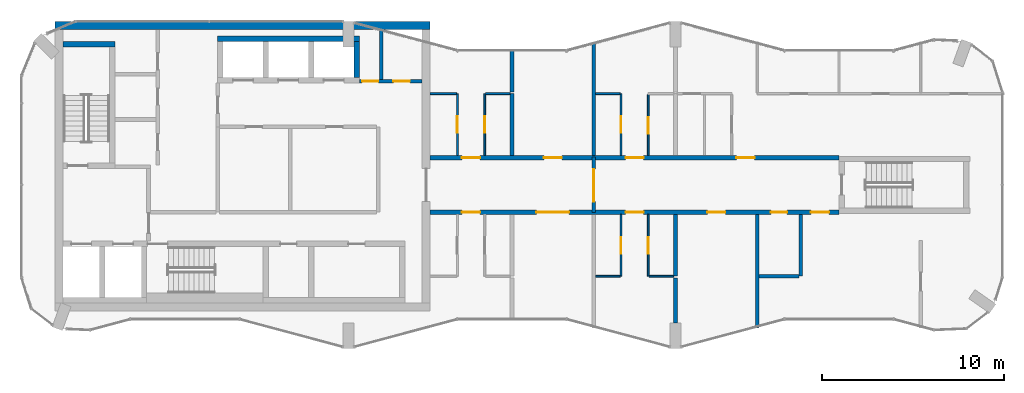
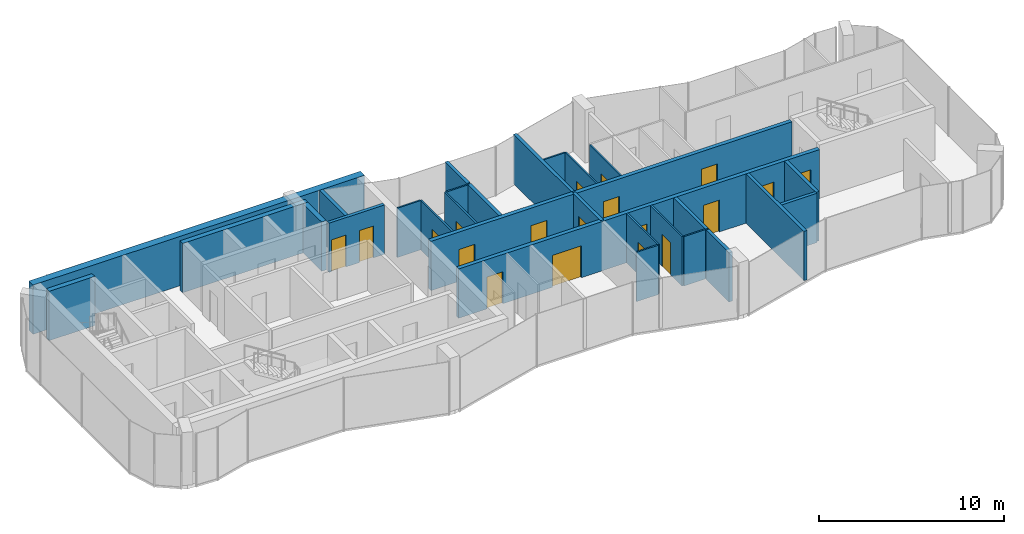
# One storey, part 8 of 10: 28 walls, 19 doors, 19 openings.
"""IFC4 building model written with IfcOpenShell, lengths in metres."""

from ifc_helpers import new_model, si_unit, direction, frame, frame_2d, origin, place, context, subcontext, project, spatial, rectangle, extrude, material, layer, layer_set, type_object, element, fill, save


model = new_model("IFC4")

# Units and contexts
model_context = context("Model", 3, precision=1e-05, world=origin(), true_north=direction((0.0, 1.0)))
body_context = subcontext(model_context, "Body", "Model", "MODEL_VIEW")
ifc_project = project(units=[si_unit("LENGTHUNIT", "METRE"), si_unit("AREAUNIT", "SQUARE_METRE"), si_unit("VOLUMEUNIT", "CUBIC_METRE"), si_unit("PLANEANGLEUNIT", "RADIAN"), si_unit("MASSUNIT", "GRAM", prefix="KILO")], contexts=[model_context])

# Site, building, storey
site_placement = place(None, origin())
site = spatial("IfcSite", under=ifc_project, at=site_placement, CompositionType="ELEMENT")
building_placement = place(site_placement, origin())
building = spatial("IfcBuilding", under=site, at=building_placement, Name="Plateau Cross Towers", CompositionType="ELEMENT")
storey_placement = place(building_placement, frame((0.0, 0.0, 259.89990234375)))
storey = spatial("IfcBuildingStorey", under=building, at=storey_placement, Name="L68", CompositionType="ELEMENT", Elevation=259.89990234375)

# Wall, openings, doors
ifc_material_1 = material(Name="Concrete block, plastered both sides", Category="concrete")
ifc_layer_1 = layer(ifc_material_1, 0.199951171875)
ifc_layer_set_1 = layer_set([ifc_layer_1], Name="Concrete block, plastered both sides")
wall_type_1 = type_object("IfcWallType", Name="Core partition 200", PredefinedType="PARTITIONING", material=ifc_layer_set_1)
wall_1_placement = place(storey_placement, frame((18.60009765625, 14.699951171875, 0.0), z_axis=(0.0, 0.0, 1.0), x_axis=(1.0, 0.0, 0.0)))
wall_1 = element("IfcWall", 1, at=wall_1_placement, inside=storey, type_object=wall_type_1, Name="Core partition", PredefinedType="PARTITIONING", context=body_context, shape_type="SweptSolid", body=[
    extrude(rectangle(XDim=3.449951171875, YDim=0.199951171875, at=frame_2d((1.72509765625, 0.0))), origin(), (0.0, 0.0, 1.0), 3.25),
])
opening_1_placement = place(wall_1_placement, frame((0.14990234375, 0.0, 0.0)))
opening_1 = element("IfcOpeningElement", 2, at=opening_1_placement, cuts=wall_1, Name="Opening RD2", PredefinedType="OPENING", context=body_context, shape_type="SweptSolid", body=[
    extrude(rectangle(XDim=0.89990234375, YDim=2.10009765625, at=frame_2d((0.449951171875, 1.050048828125))), frame((0.0, 0.10986328125, 0.0), z_axis=(0.0, -1.0, 0.0), x_axis=(1.0, 0.0, 0.0)), (0.0, 0.0, 1.0), 0.219970703125),
])
opening_2_placement = place(wall_1_placement, frame((1.875, 0.0, 0.0)))
opening_2 = element("IfcOpeningElement", 3, at=opening_2_placement, cuts=wall_1, Name="Opening RD2", PredefinedType="OPENING", context=body_context, shape_type="SweptSolid", body=[
    extrude(rectangle(XDim=0.89990234375, YDim=2.10009765625, at=frame_2d((0.449951171875, 1.050048828125))), frame((0.0, 0.10986328125, 0.0), z_axis=(0.0, -1.0, 0.0), x_axis=(1.0, 0.0, 0.0)), (0.0, 0.0, 1.0), 0.219970703125),
])
ifc_material_2 = material(Name="Steel, fire-resisting leaf", Category="steel")
door_type_1 = type_object("IfcDoorType", Name="Core riser door 900", OperationType="NOTDEFINED", PredefinedType="DOOR", material=ifc_material_2)
door_1_placement = place(opening_1_placement, origin())
door_1 = element("IfcDoor", 4, at=door_1_placement, inside=storey, type_object=door_type_1, Name="Core riser door RD2", OperationType="SINGLE_SWING_LEFT", OverallHeight=2.10009765625, OverallWidth=0.89990234375, PredefinedType="DOOR", context=body_context, shape_type="SweptSolid", body=[
    extrude(rectangle(XDim=0.89990234375, YDim=2.10009765625, at=frame_2d((0.449951171875, 1.050048828125))), frame((0.0, 0.02490234375, 0.0), z_axis=(0.0, -1.0, 0.0), x_axis=(1.0, 0.0, 0.0)), (0.0, 0.0, 1.0), 0.050048828125),
])
fill(opening_1, door_1)
door_2_placement = place(opening_2_placement, origin())
door_2 = element("IfcDoor", 5, at=door_2_placement, inside=storey, type_object=door_type_1, Name="Core riser door RD2", OperationType="SINGLE_SWING_LEFT", OverallHeight=2.10009765625, OverallWidth=0.89990234375, PredefinedType="DOOR", context=body_context, shape_type="SweptSolid", body=[
    extrude(rectangle(XDim=0.89990234375, YDim=2.10009765625, at=frame_2d((0.449951171875, 1.050048828125))), frame((0.0, 0.02490234375, 0.0), z_axis=(0.0, -1.0, 0.0), x_axis=(1.0, 0.0, 0.0)), (0.0, 0.0, 1.0), 0.050048828125),
])
fill(opening_2, door_2)

# Walls
wall_2_placement = place(storey_placement, frame((19.800048828125, 14.800048828125, 0.0), z_axis=(0.0, 0.0, 1.0), x_axis=(0.0, 1.0, 0.0)))
element("IfcWall", 6, at=wall_2_placement, inside=storey, type_object=wall_type_1, Name="Core partition", PredefinedType="PARTITIONING", context=body_context, shape_type="SweptSolid", body=[
    extrude(rectangle(XDim=2.75, YDim=0.199951171875, at=frame_2d((1.375, 0.0))), origin(), (0.0, 0.0, 1.0), 3.25),
])
ifc_material_3 = material(Name="Concrete C60/75", Category="concrete")
ifc_layer_2 = layer(ifc_material_3, 0.300048828125)
ifc_layer_set_2 = layer_set([ifc_layer_2], Name="Concrete C60/75")
wall_type_2 = type_object("IfcWallType", Name="Core shaft wall 300", PredefinedType="SHEAR", material=ifc_layer_set_2)
wall_3_placement = place(storey_placement, frame((2.300048828125, 16.75, 0.0), z_axis=(0.0, 0.0, 1.0), x_axis=(1.0, 0.0, 0.0)))
element("IfcWall", 7, at=wall_3_placement, inside=storey, type_object=wall_type_2, Name="A-st1-N@L68", PredefinedType="SHEAR", context=body_context, shape_type="SweptSolid", body=[
    extrude(rectangle(XDim=2.849853515625, YDim=0.300048828125, at=frame_2d((1.4248046875, 0.0))), origin(), (0.0, 0.0, 1.0), 3.25),
])
wall_4_placement = place(storey_placement, frame((10.800048828125, 17.050048828125, 0.0), z_axis=(0.0, 0.0, 1.0), x_axis=(1.0, 0.0, 0.0)))
element("IfcWall", 8, at=wall_4_placement, inside=storey, type_object=wall_type_2, Name="A-nb-back@L68", PredefinedType="SHEAR", context=body_context, shape_type="SweptSolid", body=[
    extrude(rectangle(XDim=7.800048828125, YDim=0.300048828125, at=frame_2d((3.89990234375, 0.0))), origin(), (0.0, 0.0, 1.0), 3.25),
])
wall_5_placement = place(storey_placement, frame((18.449951171875, 14.89990234375, 0.0), z_axis=(0.0, 0.0, 1.0), x_axis=(0.0, 1.0, 0.0)))
element("IfcWall", 9, at=wall_5_placement, inside=storey, type_object=wall_type_2, Name="A-nb-v4@L68", PredefinedType="SHEAR", context=body_context, shape_type="SweptSolid", body=[
    extrude(rectangle(XDim=2.0, YDim=0.300048828125, at=frame_2d((1.0, 0.0))), origin(), (0.0, 0.0, 1.0), 3.25),
])
ifc_layer_3 = layer(ifc_material_3, 0.449951171875)
ifc_layer_set_3 = layer_set([ifc_layer_3], Name="Concrete C60/75")
wall_type_3 = type_object("IfcWallType", Name="Core shell wall 450", PredefinedType="SHEAR", material=ifc_layer_set_3)
wall_6_placement = place(storey_placement, frame((1.85009765625, 17.77490234375, 0.0), z_axis=(0.0, 0.0, 1.0), x_axis=(1.0, 0.0, 0.0)))
element("IfcWall", 10, at=wall_6_placement, inside=storey, type_object=wall_type_3, Name="A-core-N@L68", PredefinedType="SHEAR", context=body_context, shape_type="SweptSolid", body=[
    extrude(rectangle(XDim=20.64990234375, YDim=0.449951171875, at=frame_2d((10.324951171875, 0.0))), origin(), (0.0, 0.0, 1.0), 3.25),
])

# Wall, openings, doors
ifc_layer_4 = layer(ifc_material_3, 0.25)
ifc_layer_set_4 = layer_set([ifc_layer_4], Name="Concrete C60/75")
wall_type_4 = type_object("IfcWallType", Name="Corridor wall 250", PredefinedType="SHEAR", material=ifc_layer_set_4)
wall_7_placement = place(storey_placement, frame((22.5, 7.5, 0.0), z_axis=(0.0, 0.0, 1.0), x_axis=(1.0, 0.0, 0.0)))
wall_7 = element("IfcWall", 11, at=wall_7_placement, inside=storey, type_object=wall_type_4, Name="A-cw-S1@L68", PredefinedType="SHEAR", context=body_context, shape_type="SweptSolid", body=[
    extrude(rectangle(XDim=22.5, YDim=0.25, at=frame_2d((11.25, 0.0))), origin(), (0.0, 0.0, 1.0), 3.25),
])
opening_3_placement = place(wall_7_placement, frame((1.75, 0.0, 0.0)))
opening_3 = element("IfcOpeningElement", 12, at=opening_3_placement, cuts=wall_7, Name="Opening 68-01", PredefinedType="OPENING", context=body_context, shape_type="SweptSolid", body=[
    extrude(rectangle(XDim=1.0, YDim=2.10009765625, at=frame_2d((0.5, 1.050048828125))), frame((0.0, 0.135009765625, 0.0), z_axis=(0.0, -1.0, 0.0), x_axis=(1.0, 0.0, 0.0)), (0.0, 0.0, 1.0), 0.27001953125),
])
opening_4_placement = place(wall_7_placement, frame((5.85009765625, 0.0, 0.0)))
opening_4 = element("IfcOpeningElement", 13, at=opening_4_placement, cuts=wall_7, Name="Opening 68-02", PredefinedType="OPENING", context=body_context, shape_type="SweptSolid", body=[
    extrude(rectangle(XDim=1.800048828125, YDim=2.10009765625, at=frame_2d((0.89990234375, 1.050048828125))), frame((0.0, 0.135009765625, 0.0), z_axis=(0.0, -1.0, 0.0), x_axis=(1.0, 0.0, 0.0)), (0.0, 0.0, 1.0), 0.27001953125),
])
opening_5_placement = place(wall_7_placement, frame((10.75, 0.0, 0.0)))
opening_5 = element("IfcOpeningElement", 14, at=opening_5_placement, cuts=wall_7, Name="Opening 68-03", PredefinedType="OPENING", context=body_context, shape_type="SweptSolid", body=[
    extrude(rectangle(XDim=1.0, YDim=2.10009765625, at=frame_2d((0.5, 1.050048828125))), frame((0.0, 0.135009765625, 0.0), z_axis=(0.0, -1.0, 0.0), x_axis=(1.0, 0.0, 0.0)), (0.0, 0.0, 1.0), 0.27001953125),
])
opening_6_placement = place(wall_7_placement, frame((15.25, 0.0, 0.0)))
opening_6 = element("IfcOpeningElement", 15, at=opening_6_placement, cuts=wall_7, Name="Opening 68-04", PredefinedType="OPENING", context=body_context, shape_type="SweptSolid", body=[
    extrude(rectangle(XDim=1.0, YDim=2.10009765625, at=frame_2d((0.5, 1.050048828125))), frame((0.0, 0.135009765625, 0.0), z_axis=(0.0, -1.0, 0.0), x_axis=(1.0, 0.0, 0.0)), (0.0, 0.0, 1.0), 0.27001953125),
])
opening_7_placement = place(wall_7_placement, frame((18.75, 0.0, 0.0)))
opening_7 = element("IfcOpeningElement", 16, at=opening_7_placement, cuts=wall_7, Name="Opening 68-05", PredefinedType="OPENING", context=body_context, shape_type="SweptSolid", body=[
    extrude(rectangle(XDim=0.89990234375, YDim=2.10009765625, at=frame_2d((0.449951171875, 1.050048828125))), frame((0.0, 0.135009765625, 0.0), z_axis=(0.0, -1.0, 0.0), x_axis=(1.0, 0.0, 0.0)), (0.0, 0.0, 1.0), 0.27001953125),
])
opening_8_placement = place(wall_7_placement, frame((20.949951171875, 0.0, 0.0)))
opening_8 = element("IfcOpeningElement", 17, at=opening_8_placement, cuts=wall_7, Name="Opening 68-06", PredefinedType="OPENING", context=body_context, shape_type="SweptSolid", body=[
    extrude(rectangle(XDim=1.0, YDim=2.10009765625, at=frame_2d((0.5, 1.050048828125))), frame((0.0, 0.135009765625, 0.0), z_axis=(0.0, -1.0, 0.0), x_axis=(1.0, 0.0, 0.0)), (0.0, 0.0, 1.0), 0.27001953125),
])
ifc_material_4 = material(Name="Timber, fire-resisting leaf", Category="wood")
door_type_2 = type_object("IfcDoorType", Name="Flat entrance door 1000", OperationType="NOTDEFINED", PredefinedType="DOOR", material=ifc_material_4)
door_3_placement = place(opening_3_placement, origin())
door_3 = element("IfcDoor", 18, at=door_3_placement, inside=storey, type_object=door_type_2, Name="Door 68-01", OperationType="SINGLE_SWING_LEFT", OverallHeight=2.10009765625, OverallWidth=1.0, PredefinedType="DOOR", context=body_context, shape_type="SweptSolid", body=[
    extrude(rectangle(XDim=1.0, YDim=2.10009765625, at=frame_2d((0.5, 1.050048828125))), frame((0.0, 0.02490234375, 0.0), z_axis=(0.0, -1.0, 0.0), x_axis=(1.0, 0.0, 0.0)), (0.0, 0.0, 1.0), 0.050048828125),
])
fill(opening_3, door_3)
door_4_placement = place(opening_5_placement, origin())
door_4 = element("IfcDoor", 19, at=door_4_placement, inside=storey, type_object=door_type_2, Name="Door 68-03", OperationType="SINGLE_SWING_LEFT", OverallHeight=2.10009765625, OverallWidth=1.0, PredefinedType="DOOR", context=body_context, shape_type="SweptSolid", body=[
    extrude(rectangle(XDim=1.0, YDim=2.10009765625, at=frame_2d((0.5, 1.050048828125))), frame((0.0, 0.02490234375, 0.0), z_axis=(0.0, -1.0, 0.0), x_axis=(1.0, 0.0, 0.0)), (0.0, 0.0, 1.0), 0.050048828125),
])
fill(opening_5, door_4)
door_5_placement = place(opening_6_placement, origin())
door_5 = element("IfcDoor", 20, at=door_5_placement, inside=storey, type_object=door_type_2, Name="Door 68-04", OperationType="SINGLE_SWING_RIGHT", OverallHeight=2.10009765625, OverallWidth=1.0, PredefinedType="DOOR", context=body_context, shape_type="SweptSolid", body=[
    extrude(rectangle(XDim=1.0, YDim=2.10009765625, at=frame_2d((0.5, 1.050048828125))), frame((0.0, 0.02490234375, 0.0), z_axis=(0.0, -1.0, 0.0), x_axis=(1.0, 0.0, 0.0)), (0.0, 0.0, 1.0), 0.050048828125),
])
fill(opening_6, door_5)
door_6_placement = place(opening_8_placement, origin())
door_6 = element("IfcDoor", 21, at=door_6_placement, inside=storey, type_object=door_type_2, Name="Door 68-06", OperationType="SINGLE_SWING_RIGHT", OverallHeight=2.10009765625, OverallWidth=1.0, PredefinedType="DOOR", context=body_context, shape_type="SweptSolid", body=[
    extrude(rectangle(XDim=1.0, YDim=2.10009765625, at=frame_2d((0.5, 1.050048828125))), frame((0.0, 0.02490234375, 0.0), z_axis=(0.0, -1.0, 0.0), x_axis=(1.0, 0.0, 0.0)), (0.0, 0.0, 1.0), 0.050048828125),
])
fill(opening_8, door_6)
ifc_material_5 = material(Name="Timber, fire-resisting leaves", Category="wood")
door_type_3 = type_object("IfcDoorType", Name="Flat floor fire door pair 1800", OperationType="NOTDEFINED", PredefinedType="DOOR", material=ifc_material_5)
door_7_placement = place(opening_4_placement, origin())
door_7 = element("IfcDoor", 22, at=door_7_placement, inside=storey, type_object=door_type_3, Name="Door 68-02", OperationType="SINGLE_SWING_LEFT", OverallHeight=2.10009765625, OverallWidth=1.800048828125, PredefinedType="DOOR", context=body_context, shape_type="SweptSolid", body=[
    extrude(rectangle(XDim=1.800048828125, YDim=2.10009765625, at=frame_2d((0.89990234375, 1.050048828125))), frame((0.0, 0.02490234375, 0.0), z_axis=(0.0, -1.0, 0.0), x_axis=(1.0, 0.0, 0.0)), (0.0, 0.0, 1.0), 0.050048828125),
])
fill(opening_4, door_7)
door_type_4 = type_object("IfcDoorType", Name="Flat floor service door 900", OperationType="NOTDEFINED", PredefinedType="DOOR", material=ifc_material_4)
door_8_placement = place(opening_7_placement, origin())
door_8 = element("IfcDoor", 23, at=door_8_placement, inside=storey, type_object=door_type_4, Name="Door 68-05", OperationType="SINGLE_SWING_RIGHT", OverallHeight=2.10009765625, OverallWidth=0.89990234375, PredefinedType="DOOR", context=body_context, shape_type="SweptSolid", body=[
    extrude(rectangle(XDim=0.89990234375, YDim=2.10009765625, at=frame_2d((0.449951171875, 1.050048828125))), frame((0.0, 0.02490234375, 0.0), z_axis=(0.0, -1.0, 0.0), x_axis=(1.0, 0.0, 0.0)), (0.0, 0.0, 1.0), 0.050048828125),
])
fill(opening_7, door_8)

wall_8_placement = place(storey_placement, frame((22.5, 10.5, 0.0), z_axis=(0.0, 0.0, 1.0), x_axis=(1.0, 0.0, 0.0)))
wall_8 = element("IfcWall", 24, at=wall_8_placement, inside=storey, type_object=wall_type_4, Name="A-cw-S2@L68", PredefinedType="SHEAR", context=body_context, shape_type="SweptSolid", body=[
    extrude(rectangle(XDim=22.5, YDim=0.25, at=frame_2d((11.25, 0.0))), origin(), (0.0, 0.0, 1.0), 3.25),
])
opening_9_placement = place(wall_8_placement, frame((1.75, 0.0, 0.0)))
opening_9 = element("IfcOpeningElement", 25, at=opening_9_placement, cuts=wall_8, Name="Opening 68-07", PredefinedType="OPENING", context=body_context, shape_type="SweptSolid", body=[
    extrude(rectangle(XDim=1.0, YDim=2.10009765625, at=frame_2d((0.5, 1.050048828125))), frame((0.0, 0.135009765625, 0.0), z_axis=(0.0, -1.0, 0.0), x_axis=(1.0, 0.0, 0.0)), (0.0, 0.0, 1.0), 0.27001953125),
])
opening_10_placement = place(wall_8_placement, frame((6.25, 0.0, 0.0)))
opening_10 = element("IfcOpeningElement", 26, at=opening_10_placement, cuts=wall_8, Name="Opening 68-08", PredefinedType="OPENING", context=body_context, shape_type="SweptSolid", body=[
    extrude(rectangle(XDim=1.0, YDim=2.10009765625, at=frame_2d((0.5, 1.050048828125))), frame((0.0, 0.135009765625, 0.0), z_axis=(0.0, -1.0, 0.0), x_axis=(1.0, 0.0, 0.0)), (0.0, 0.0, 1.0), 0.27001953125),
])
opening_11_placement = place(wall_8_placement, frame((10.75, 0.0, 0.0)))
opening_11 = element("IfcOpeningElement", 27, at=opening_11_placement, cuts=wall_8, Name="Opening 68-09", PredefinedType="OPENING", context=body_context, shape_type="SweptSolid", body=[
    extrude(rectangle(XDim=1.0, YDim=2.10009765625, at=frame_2d((0.5, 1.050048828125))), frame((0.0, 0.135009765625, 0.0), z_axis=(0.0, -1.0, 0.0), x_axis=(1.0, 0.0, 0.0)), (0.0, 0.0, 1.0), 0.27001953125),
])
opening_12_placement = place(wall_8_placement, frame((16.85009765625, 0.0, 0.0)))
opening_12 = element("IfcOpeningElement", 28, at=opening_12_placement, cuts=wall_8, Name="Opening 68-10", PredefinedType="OPENING", context=body_context, shape_type="SweptSolid", body=[
    extrude(rectangle(XDim=1.0, YDim=2.10009765625, at=frame_2d((0.5, 1.050048828125))), frame((0.0, 0.135009765625, 0.0), z_axis=(0.0, -1.0, 0.0), x_axis=(1.0, 0.0, 0.0)), (0.0, 0.0, 1.0), 0.27001953125),
])
door_9_placement = place(opening_9_placement, origin())
door_9 = element("IfcDoor", 29, at=door_9_placement, inside=storey, type_object=door_type_2, Name="Door 68-07", OperationType="SINGLE_SWING_LEFT", OverallHeight=2.10009765625, OverallWidth=1.0, PredefinedType="DOOR", context=body_context, shape_type="SweptSolid", body=[
    extrude(rectangle(XDim=1.0, YDim=2.10009765625, at=frame_2d((0.5, 1.050048828125))), frame((0.0, 0.02490234375, 0.0), z_axis=(0.0, -1.0, 0.0), x_axis=(1.0, 0.0, 0.0)), (0.0, 0.0, 1.0), 0.050048828125),
])
fill(opening_9, door_9)
door_10_placement = place(opening_10_placement, origin())
door_10 = element("IfcDoor", 30, at=door_10_placement, inside=storey, type_object=door_type_2, Name="Door 68-08", OperationType="SINGLE_SWING_LEFT", OverallHeight=2.10009765625, OverallWidth=1.0, PredefinedType="DOOR", context=body_context, shape_type="SweptSolid", body=[
    extrude(rectangle(XDim=1.0, YDim=2.10009765625, at=frame_2d((0.5, 1.050048828125))), frame((0.0, 0.02490234375, 0.0), z_axis=(0.0, -1.0, 0.0), x_axis=(1.0, 0.0, 0.0)), (0.0, 0.0, 1.0), 0.050048828125),
])
fill(opening_10, door_10)
door_11_placement = place(opening_11_placement, origin())
door_11 = element("IfcDoor", 31, at=door_11_placement, inside=storey, type_object=door_type_2, Name="Door 68-09", OperationType="SINGLE_SWING_LEFT", OverallHeight=2.10009765625, OverallWidth=1.0, PredefinedType="DOOR", context=body_context, shape_type="SweptSolid", body=[
    extrude(rectangle(XDim=1.0, YDim=2.10009765625, at=frame_2d((0.5, 1.050048828125))), frame((0.0, 0.02490234375, 0.0), z_axis=(0.0, -1.0, 0.0), x_axis=(1.0, 0.0, 0.0)), (0.0, 0.0, 1.0), 0.050048828125),
])
fill(opening_11, door_11)
door_12_placement = place(opening_12_placement, origin())
door_12 = element("IfcDoor", 32, at=door_12_placement, inside=storey, type_object=door_type_2, Name="Door 68-10", OperationType="SINGLE_SWING_RIGHT", OverallHeight=2.10009765625, OverallWidth=1.0, PredefinedType="DOOR", context=body_context, shape_type="SweptSolid", body=[
    extrude(rectangle(XDim=1.0, YDim=2.10009765625, at=frame_2d((0.5, 1.050048828125))), frame((0.0, 0.02490234375, 0.0), z_axis=(0.0, -1.0, 0.0), x_axis=(1.0, 0.0, 0.0)), (0.0, 0.0, 1.0), 0.050048828125),
])
fill(opening_12, door_12)

# Walls
ifc_material_6 = material(Name="Gypsum board on steel studs", Category="steel")
ifc_layer_5 = layer(ifc_material_6, 0.10009765625)
ifc_layer_set_5 = layer_set([ifc_layer_5], Name="Gypsum board on steel studs")
wall_type_5 = type_object("IfcWallType", Name="Flat partition 100", PredefinedType="PARTITIONING", material=ifc_layer_set_5)
for number, where, z_axis, x_axis, name in (
    (33, (31.60009765625, 3.97509765625, 0.0), (0.0, 0.0, 1.0), (1.0, 0.0, 0.0), "Partition wall"),
    (34, (34.550048828125, 3.97509765625, 0.0), (0.0, 0.0, 1.0), (1.0, 0.0, 0.0), "Partition wall"),
):
    element("IfcWall", number, at=place(storey_placement, frame(where, z_axis=z_axis, x_axis=x_axis)), inside=storey, type_object=wall_type_5, Name=name, PredefinedType="PARTITIONING", context=body_context, shape_type="SweptSolid", body=[
        extrude(rectangle(XDim=1.349853515625, YDim=0.10009765625, at=frame_2d((0.6748046875, 0.0))), origin(), (0.0, 0.0, 1.0), 3.25),
    ])
wall_9_placement = place(storey_placement, frame((23.949951171875, 14.02490234375, 0.0), z_axis=(0.0, 0.0, 1.0), x_axis=(-1.0, 0.0, 0.0)))
element("IfcWall", 35, at=wall_9_placement, inside=storey, type_object=wall_type_5, Name="Partition wall", PredefinedType="PARTITIONING", context=body_context, shape_type="SweptSolid", body=[
    extrude(rectangle(XDim=1.449951171875, YDim=0.10009765625, at=frame_2d((0.72509765625, 0.0))), origin(), (0.0, 0.0, 1.0), 3.25),
])
for number, where, z_axis, x_axis, name in (
    (36, (26.89990234375, 14.02490234375, 0.0), (0.0, 0.0, 1.0), (-1.0, 0.0, 0.0), "Partition wall"),
    (37, (32.949951171875, 14.02490234375, 0.0), (0.0, 0.0, 1.0), (-1.0, 0.0, 0.0), "Partition wall"),
):
    element("IfcWall", number, at=place(storey_placement, frame(where, z_axis=z_axis, x_axis=x_axis)), inside=storey, type_object=wall_type_5, Name=name, PredefinedType="PARTITIONING", context=body_context, shape_type="SweptSolid", body=[
        extrude(rectangle(XDim=1.349853515625, YDim=0.10009765625, at=frame_2d((0.6748046875, 0.0))), origin(), (0.0, 0.0, 1.0), 3.25),
    ])

# Wall, opening, door
wall_10_placement = place(storey_placement, frame((24.0, 10.625, 0.0), z_axis=(0.0, 0.0, 1.0), x_axis=(0.0, 1.0, 0.0)))
wall_10 = element("IfcWall", 38, at=wall_10_placement, inside=storey, type_object=wall_type_5, Name="Partition wall", PredefinedType="PARTITIONING", context=body_context, shape_type="SweptSolid", body=[
    extrude(rectangle(XDim=3.39990234375, YDim=0.10009765625, at=frame_2d((1.699951171875, 0.0))), origin(), (0.0, 0.0, 1.0), 3.25),
])
opening_13_placement = place(wall_10_placement, frame((1.25, 0.0, 0.0)))
opening_13 = element("IfcOpeningElement", 39, at=opening_13_placement, cuts=wall_10, Name="Opening 68-17", PredefinedType="OPENING", context=body_context, shape_type="SweptSolid", body=[
    extrude(rectangle(XDim=0.89990234375, YDim=2.10009765625, at=frame_2d((0.449951171875, 1.050048828125))), frame((0.0, 0.06005859375, 0.0), z_axis=(0.0, -1.0, 0.0), x_axis=(1.0, 0.0, 0.0)), (0.0, 0.0, 1.0), 0.1201171875),
])
ifc_material_7 = material(Name="Timber leaf", Category="wood")
door_type_5 = type_object("IfcDoorType", Name="Flat room door 900", OperationType="NOTDEFINED", PredefinedType="DOOR", material=ifc_material_7)
door_13_placement = place(opening_13_placement, origin())
door_13 = element("IfcDoor", 40, at=door_13_placement, inside=storey, type_object=door_type_5, Name="Door 68-17", OperationType="SINGLE_SWING_LEFT", OverallHeight=2.10009765625, OverallWidth=0.89990234375, PredefinedType="DOOR", context=body_context, shape_type="SweptSolid", body=[
    extrude(rectangle(XDim=0.89990234375, YDim=2.10009765625, at=frame_2d((0.449951171875, 1.050048828125))), frame((0.0, 0.02490234375, 0.0), z_axis=(0.0, -1.0, 0.0), x_axis=(1.0, 0.0, 0.0)), (0.0, 0.0, 1.0), 0.050048828125),
])
fill(opening_13, door_13)

wall_11_placement = place(storey_placement, frame((25.5, 14.02490234375, 0.0), z_axis=(0.0, 0.0, 1.0), x_axis=(0.0, -1.0, 0.0)))
wall_11 = element("IfcWall", 41, at=wall_11_placement, inside=storey, type_object=wall_type_5, Name="Partition wall", PredefinedType="PARTITIONING", context=body_context, shape_type="SweptSolid", body=[
    extrude(rectangle(XDim=3.39990234375, YDim=0.10009765625, at=frame_2d((1.699951171875, 0.0))), origin(), (0.0, 0.0, 1.0), 3.25),
])
opening_14_placement = place(wall_11_placement, frame((1.25, 0.0, 0.0)))
opening_14 = element("IfcOpeningElement", 42, at=opening_14_placement, cuts=wall_11, Name="Opening 68-18", PredefinedType="OPENING", context=body_context, shape_type="SweptSolid", body=[
    extrude(rectangle(XDim=0.89990234375, YDim=2.10009765625, at=frame_2d((0.449951171875, 1.050048828125))), frame((0.0, 0.06005859375, 0.0), z_axis=(0.0, -1.0, 0.0), x_axis=(1.0, 0.0, 0.0)), (0.0, 0.0, 1.0), 0.1201171875),
])
door_14_placement = place(opening_14_placement, origin())
door_14 = element("IfcDoor", 43, at=door_14_placement, inside=storey, type_object=door_type_5, Name="Door 68-18", OperationType="SINGLE_SWING_LEFT", OverallHeight=2.10009765625, OverallWidth=0.89990234375, PredefinedType="DOOR", context=body_context, shape_type="SweptSolid", body=[
    extrude(rectangle(XDim=0.89990234375, YDim=2.10009765625, at=frame_2d((0.449951171875, 1.050048828125))), frame((0.0, 0.02490234375, 0.0), z_axis=(0.0, -1.0, 0.0), x_axis=(1.0, 0.0, 0.0)), (0.0, 0.0, 1.0), 0.050048828125),
])
fill(opening_14, door_14)

wall_12_placement = place(storey_placement, frame((33.0, 3.97509765625, 0.0), z_axis=(0.0, 0.0, 1.0), x_axis=(0.0, 1.0, 0.0)))
wall_12 = element("IfcWall", 44, at=wall_12_placement, inside=storey, type_object=wall_type_5, Name="Partition wall", PredefinedType="PARTITIONING", context=body_context, shape_type="SweptSolid", body=[
    extrude(rectangle(XDim=3.39990234375, YDim=0.10009765625, at=frame_2d((1.699951171875, 0.0))), origin(), (0.0, 0.0, 1.0), 3.25),
])
opening_15_placement = place(wall_12_placement, frame((1.25, 0.0, 0.0)))
opening_15 = element("IfcOpeningElement", 45, at=opening_15_placement, cuts=wall_12, Name="Opening 68-15", PredefinedType="OPENING", context=body_context, shape_type="SweptSolid", body=[
    extrude(rectangle(XDim=0.89990234375, YDim=2.10009765625, at=frame_2d((0.449951171875, 1.050048828125))), frame((0.0, 0.06005859375, 0.0), z_axis=(0.0, -1.0, 0.0), x_axis=(1.0, 0.0, 0.0)), (0.0, 0.0, 1.0), 0.1201171875),
])
door_15_placement = place(opening_15_placement, origin())
door_15 = element("IfcDoor", 46, at=door_15_placement, inside=storey, type_object=door_type_5, Name="Door 68-15", OperationType="SINGLE_SWING_LEFT", OverallHeight=2.10009765625, OverallWidth=0.89990234375, PredefinedType="DOOR", context=body_context, shape_type="SweptSolid", body=[
    extrude(rectangle(XDim=0.89990234375, YDim=2.10009765625, at=frame_2d((0.449951171875, 1.050048828125))), frame((0.0, 0.02490234375, 0.0), z_axis=(0.0, -1.0, 0.0), x_axis=(1.0, 0.0, 0.0)), (0.0, 0.0, 1.0), 0.050048828125),
])
fill(opening_15, door_15)

wall_13_placement = place(storey_placement, frame((33.0, 10.625, 0.0), z_axis=(0.0, 0.0, 1.0), x_axis=(0.0, 1.0, 0.0)))
wall_13 = element("IfcWall", 47, at=wall_13_placement, inside=storey, type_object=wall_type_5, Name="Partition wall", PredefinedType="PARTITIONING", context=body_context, shape_type="SweptSolid", body=[
    extrude(rectangle(XDim=3.39990234375, YDim=0.10009765625, at=frame_2d((1.699951171875, 0.0))), origin(), (0.0, 0.0, 1.0), 3.25),
])
opening_16_placement = place(wall_13_placement, frame((1.25, 0.0, 0.0)))
opening_16 = element("IfcOpeningElement", 48, at=opening_16_placement, cuts=wall_13, Name="Opening 68-19", PredefinedType="OPENING", context=body_context, shape_type="SweptSolid", body=[
    extrude(rectangle(XDim=0.89990234375, YDim=2.10009765625, at=frame_2d((0.449951171875, 1.050048828125))), frame((0.0, 0.06005859375, 0.0), z_axis=(0.0, -1.0, 0.0), x_axis=(1.0, 0.0, 0.0)), (0.0, 0.0, 1.0), 0.1201171875),
])
door_16_placement = place(opening_16_placement, origin())
door_16 = element("IfcDoor", 49, at=door_16_placement, inside=storey, type_object=door_type_5, Name="Door 68-19", OperationType="SINGLE_SWING_LEFT", OverallHeight=2.10009765625, OverallWidth=0.89990234375, PredefinedType="DOOR", context=body_context, shape_type="SweptSolid", body=[
    extrude(rectangle(XDim=0.89990234375, YDim=2.10009765625, at=frame_2d((0.449951171875, 1.050048828125))), frame((0.0, 0.02490234375, 0.0), z_axis=(0.0, -1.0, 0.0), x_axis=(1.0, 0.0, 0.0)), (0.0, 0.0, 1.0), 0.050048828125),
])
fill(opening_16, door_16)

wall_14_placement = place(storey_placement, frame((34.5, 7.375, 0.0), z_axis=(0.0, 0.0, 1.0), x_axis=(0.0, -1.0, 0.0)))
wall_14 = element("IfcWall", 50, at=wall_14_placement, inside=storey, type_object=wall_type_5, Name="Partition wall", PredefinedType="PARTITIONING", context=body_context, shape_type="SweptSolid", body=[
    extrude(rectangle(XDim=3.39990234375, YDim=0.10009765625, at=frame_2d((1.699951171875, 0.0))), origin(), (0.0, 0.0, 1.0), 3.25),
])
opening_17_placement = place(wall_14_placement, frame((1.25, 0.0, 0.0)))
opening_17 = element("IfcOpeningElement", 51, at=opening_17_placement, cuts=wall_14, Name="Opening 68-16", PredefinedType="OPENING", context=body_context, shape_type="SweptSolid", body=[
    extrude(rectangle(XDim=0.89990234375, YDim=2.10009765625, at=frame_2d((0.449951171875, 1.050048828125))), frame((0.0, 0.06005859375, 0.0), z_axis=(0.0, -1.0, 0.0), x_axis=(1.0, 0.0, 0.0)), (0.0, 0.0, 1.0), 0.1201171875),
])
door_17_placement = place(opening_17_placement, origin())
door_17 = element("IfcDoor", 52, at=door_17_placement, inside=storey, type_object=door_type_5, Name="Door 68-16", OperationType="SINGLE_SWING_LEFT", OverallHeight=2.10009765625, OverallWidth=0.89990234375, PredefinedType="DOOR", context=body_context, shape_type="SweptSolid", body=[
    extrude(rectangle(XDim=0.89990234375, YDim=2.10009765625, at=frame_2d((0.449951171875, 1.050048828125))), frame((0.0, 0.02490234375, 0.0), z_axis=(0.0, -1.0, 0.0), x_axis=(1.0, 0.0, 0.0)), (0.0, 0.0, 1.0), 0.050048828125),
])
fill(opening_17, door_17)

wall_15_placement = place(storey_placement, frame((34.5, 13.97509765625, 0.0), z_axis=(0.0, 0.0, 1.0), x_axis=(0.0, -1.0, 0.0)))
wall_15 = element("IfcWall", 53, at=wall_15_placement, inside=storey, type_object=wall_type_5, Name="Partition wall", PredefinedType="PARTITIONING", context=body_context, shape_type="SweptSolid", body=[
    extrude(rectangle(XDim=3.35009765625, YDim=0.10009765625, at=frame_2d((1.675048828125, 0.0))), origin(), (0.0, 0.0, 1.0), 3.25),
])
opening_18_placement = place(wall_15_placement, frame((1.25, 0.0, 0.0)))
opening_18 = element("IfcOpeningElement", 54, at=opening_18_placement, cuts=wall_15, Name="Opening 68-20", PredefinedType="OPENING", context=body_context, shape_type="SweptSolid", body=[
    extrude(rectangle(XDim=0.89990234375, YDim=2.10009765625, at=frame_2d((0.449951171875, 1.050048828125))), frame((0.0, 0.06005859375, 0.0), z_axis=(0.0, -1.0, 0.0), x_axis=(1.0, 0.0, 0.0)), (0.0, 0.0, 1.0), 0.1201171875),
])
door_18_placement = place(opening_18_placement, origin())
door_18 = element("IfcDoor", 55, at=door_18_placement, inside=storey, type_object=door_type_5, Name="Door 68-20", OperationType="SINGLE_SWING_RIGHT", OverallHeight=2.10009765625, OverallWidth=0.89990234375, PredefinedType="DOOR", context=body_context, shape_type="SweptSolid", body=[
    extrude(rectangle(XDim=0.89990234375, YDim=2.10009765625, at=frame_2d((0.449951171875, 1.050048828125))), frame((0.0, 0.02490234375, 0.0), z_axis=(0.0, -1.0, 0.0), x_axis=(1.0, 0.0, 0.0)), (0.0, 0.0, 1.0), 0.050048828125),
])
fill(opening_18, door_18)

# Walls
ifc_material_8 = material(Name="Gypsum board on steel studs, two layers each side", Category="steel")
ifc_layer_6 = layer(ifc_material_8, 0.199951171875)
ifc_layer_set_6 = layer_set([ifc_layer_6], Name="Gypsum board on steel studs, two layers each side")
wall_type_6 = type_object("IfcWallType", Name="Flat party wall 200", PredefinedType="PARTITIONING", material=ifc_layer_set_6)
wall_16_placement = place(storey_placement, frame((40.60009765625, 3.97509765625, 0.0), z_axis=(0.0, 0.0, 1.0), x_axis=(1.0, 0.0, 0.0)))
element("IfcWall", 56, at=wall_16_placement, inside=storey, type_object=wall_type_6, Name="Party wall", PredefinedType="PARTITIONING", context=body_context, shape_type="SweptSolid", body=[
    extrude(rectangle(XDim=2.199951171875, YDim=0.199951171875, at=frame_2d((1.10009765625, 0.0))), origin(), (0.0, 0.0, 1.0), 3.25),
])
wall_17_placement = place(storey_placement, frame((27.0, 16.47314453125, 0.0), z_axis=(0.0, 0.0, 1.0), x_axis=(0.0, -1.0, 0.0)))
element("IfcWall", 57, at=wall_17_placement, inside=storey, type_object=wall_type_6, Name="Party wall", PredefinedType="PARTITIONING", context=body_context, shape_type="SweptSolid", body=[
    extrude(rectangle(XDim=2.34814453125, YDim=0.199951171875, at=frame_2d((1.174072265625, 0.0))), origin(), (0.0, 0.0, 1.0), 3.25),
])
wall_18_placement = place(storey_placement, frame((27.0, 10.625, 0.0), z_axis=(0.0, 0.0, 1.0), x_axis=(0.0, 1.0, 0.0)))
element("IfcWall", 58, at=wall_18_placement, inside=storey, type_object=wall_type_6, Name="Party wall", PredefinedType="PARTITIONING", context=body_context, shape_type="SweptSolid", body=[
    extrude(rectangle(XDim=3.39990234375, YDim=0.199951171875, at=frame_2d((1.699951171875, 0.0))), origin(), (0.0, 0.0, 1.0), 3.25),
])
wall_19_placement = place(storey_placement, frame((31.5, 10.625, 0.0), z_axis=(0.0, 0.0, 1.0), x_axis=(0.0, 1.0, 0.0)))
element("IfcWall", 59, at=wall_19_placement, inside=storey, type_object=wall_type_6, Name="Party wall", PredefinedType="PARTITIONING", context=body_context, shape_type="SweptSolid", body=[
    extrude(rectangle(XDim=6.252685546875, YDim=0.199951171875, at=frame_2d((3.12646484375, 0.0))), origin(), (0.0, 0.0, 1.0), 3.25),
])
wall_20_placement = place(storey_placement, frame((36.0, 3.875, 0.0), z_axis=(0.0, 0.0, 1.0), x_axis=(0.0, -1.0, 0.0)))
element("IfcWall", 60, at=wall_20_placement, inside=storey, type_object=wall_type_6, Name="Party wall", PredefinedType="PARTITIONING", context=body_context, shape_type="SweptSolid", body=[
    extrude(rectangle(XDim=2.47509765625, YDim=0.199951171875, at=frame_2d((1.237548828125, 0.0))), origin(), (0.0, 0.0, 1.0), 3.25),
])
wall_21_placement = place(storey_placement, frame((36.0, 3.97509765625, 0.0), z_axis=(0.0, 0.0, 1.0), x_axis=(0.0, 1.0, 0.0)))
element("IfcWall", 61, at=wall_21_placement, inside=storey, type_object=wall_type_6, Name="Party wall", PredefinedType="PARTITIONING", context=body_context, shape_type="SweptSolid", body=[
    extrude(rectangle(XDim=3.39990234375, YDim=0.199951171875, at=frame_2d((1.699951171875, 0.0))), origin(), (0.0, 0.0, 1.0), 3.25),
])
wall_22_placement = place(storey_placement, frame((40.5, 1.122314453125, 0.0), z_axis=(0.0, 0.0, 1.0), x_axis=(0.0, 1.0, 0.0)))
element("IfcWall", 62, at=wall_22_placement, inside=storey, type_object=wall_type_6, Name="Party wall", PredefinedType="PARTITIONING", context=body_context, shape_type="SweptSolid", body=[
    extrude(rectangle(XDim=6.252685546875, YDim=0.199951171875, at=frame_2d((3.12646484375, 0.0))), origin(), (0.0, 0.0, 1.0), 3.25),
])
wall_23_placement = place(storey_placement, frame((42.89990234375, 3.97509765625, 0.0), z_axis=(0.0, 0.0, 1.0), x_axis=(0.0, 1.0, 0.0)))
element("IfcWall", 63, at=wall_23_placement, inside=storey, type_object=wall_type_6, Name="Party wall", PredefinedType="PARTITIONING", context=body_context, shape_type="SweptSolid", body=[
    extrude(rectangle(XDim=3.39990234375, YDim=0.199951171875, at=frame_2d((1.699951171875, 0.0))), origin(), (0.0, 0.0, 1.0), 3.25),
])

# Wall, opening, door
wall_24_placement = place(storey_placement, frame((31.5, 7.47509765625, 0.0), z_axis=(0.0, 0.0, 1.0), x_axis=(0.0, 1.0, 0.0)))
wall_24 = element("IfcWall", 64, at=wall_24_placement, inside=storey, type_object=wall_type_6, Name="Party wall", PredefinedType="PARTITIONING", context=body_context, shape_type="SweptSolid", body=[
    extrude(rectangle(XDim=3.0498046875, YDim=0.199951171875, at=frame_2d((1.52490234375, 0.0))), origin(), (0.0, 0.0, 1.0), 3.25),
])
opening_19_placement = place(wall_24_placement, frame((0.60009765625, 0.0, 0.0)))
opening_19 = element("IfcOpeningElement", 65, at=opening_19_placement, cuts=wall_24, Name="Opening 68-11", PredefinedType="OPENING", context=body_context, shape_type="SweptSolid", body=[
    extrude(rectangle(XDim=1.800048828125, YDim=2.10009765625, at=frame_2d((0.89990234375, 1.050048828125))), frame((0.0, 0.10986328125, 0.0), z_axis=(0.0, -1.0, 0.0), x_axis=(1.0, 0.0, 0.0)), (0.0, 0.0, 1.0), 0.219970703125),
])
door_19_placement = place(opening_19_placement, origin())
door_19 = element("IfcDoor", 66, at=door_19_placement, inside=storey, type_object=door_type_3, Name="Door 68-11", OperationType="SINGLE_SWING_LEFT", OverallHeight=2.10009765625, OverallWidth=1.800048828125, PredefinedType="DOOR", context=body_context, shape_type="SweptSolid", body=[
    extrude(rectangle(XDim=1.800048828125, YDim=2.10009765625, at=frame_2d((0.89990234375, 1.050048828125))), frame((0.0, 0.02490234375, 0.0), z_axis=(0.0, -1.0, 0.0), x_axis=(1.0, 0.0, 0.0)), (0.0, 0.0, 1.0), 0.050048828125),
])
fill(opening_19, door_19)

save(model, "model.ifc")
